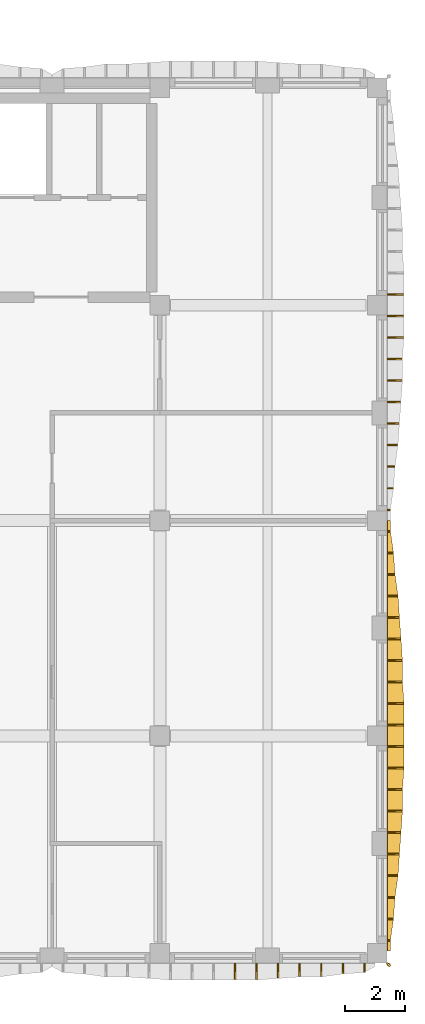
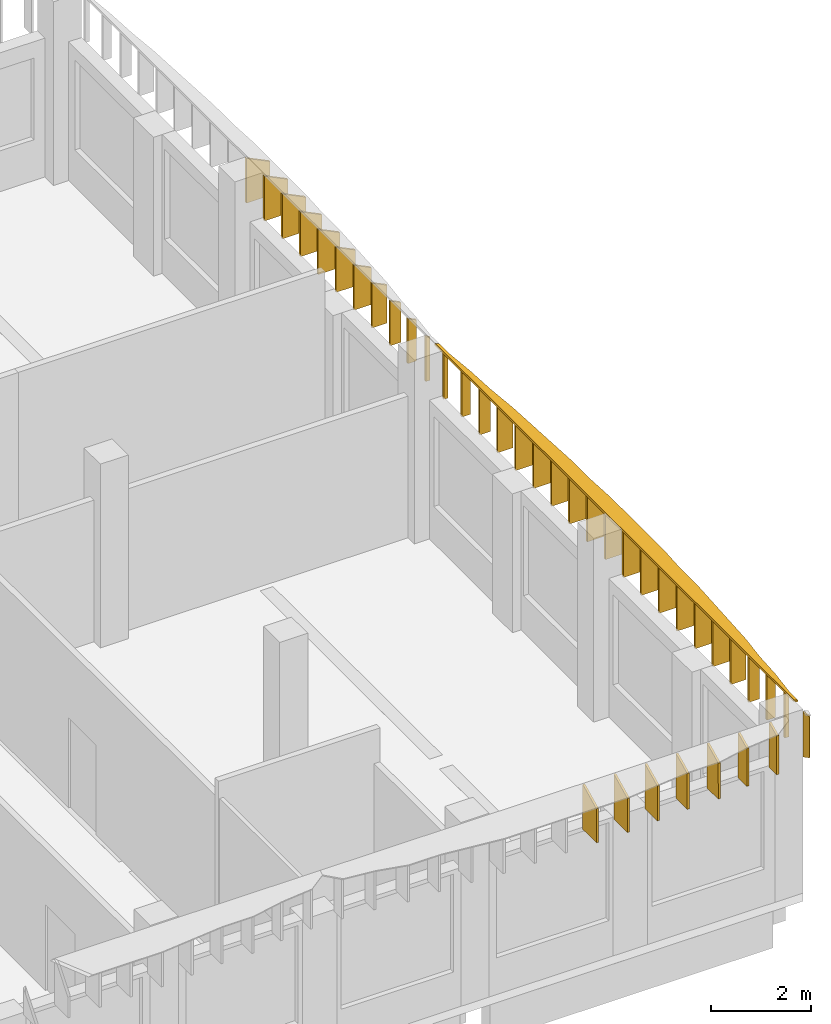
# One storey, part 26 of 30: 40 shading devices.
"""IFC4 building model written with IfcOpenShell, lengths in metres."""

import ifcopenshell
import ifcopenshell.guid

model = None  # the IFC model being written
_history = None  # IfcOwnerHistory: only IFC2X3 demands one
_inside = {}  # id of a spatial element -> (the spatial element, [elements in it])
_under = {}  # id of a project, library or spatial element -> (it, [spatial elements below it])
_declared = {}  # id of a project -> (the project, [libraries it declares])
_typed = {}  # id of a type object -> (the type object, [elements of that type])
_made_of = {}  # id of a material, layer set ... -> (it, [elements and type objects made of it])


def new_model(schema):
    """Start an empty IFC model of exactly this schema.

    Asked for "IFC4X3", IfcOpenShell would pick the latest addendum, in which some entities
    have other attributes; the version numbers below select the first issue.
    IFC2X3 requires an IfcOwnerHistory on every rooted entity: one is made here for all.
    """
    global model, _history
    if schema == "IFC4X3":
        model = ifcopenshell.file(schema_version=(4, 3, 0, 0))
    else:
        model = ifcopenshell.file(schema=schema)
    _inside.clear()
    _under.clear()
    _declared.clear()
    _typed.clear()
    _made_of.clear()
    _history = None
    if model.schema == "IFC2X3":
        org = make("IfcOrganization", Name="unknown")
        user = make(
            "IfcPersonAndOrganization",
            ThePerson=make("IfcPerson", FamilyName="unknown"),
            TheOrganization=org,
        )
        app = make(
            "IfcApplication",
            ApplicationDeveloper=org,
            Version="unknown",
            ApplicationFullName="unknown",
            ApplicationIdentifier="unknown",
        )
        _history = make(
            "IfcOwnerHistory",
            OwningUser=user,
            OwningApplication=app,
            ChangeAction="ADDED",
            CreationDate=0,
        )
    return model


def make(cls, **values):
    """One entity of the class cls with the attributes given. An attribute that is None is left unset."""
    return model.create_entity(
        cls, **{name: value for name, value in values.items() if value is not None}
    )


def rooted(cls, **values):
    """An entity with a GlobalId (a new one), such as an element, a storey or a relation."""
    return make(cls, GlobalId=ifcopenshell.guid.new(), OwnerHistory=_history, **values)


def si_unit(unit_type, name, prefix=None):
    """IfcSIUnit, for example si_unit("LENGTHUNIT", "METRE", prefix="MILLI")."""
    return make("IfcSIUnit", UnitType=unit_type, Prefix=prefix, Name=name)


def assignment(units):
    """IfcUnitAssignment: the units of a project."""
    return None if units is None else make("IfcUnitAssignment", Units=units)


def point(xyz):
    """IfcCartesianPoint."""
    return None if xyz is None else make("IfcCartesianPoint", Coordinates=xyz)


def direction(xyz):
    """IfcDirection."""
    return None if xyz is None else make("IfcDirection", DirectionRatios=xyz)


def frame(location, z_axis=None, x_axis=None):
    """IfcAxis2Placement3D, a coordinate frame: its origin and axes. An axis left out is left unset."""
    return make(
        "IfcAxis2Placement3D",
        Location=point(location),
        Axis=direction(z_axis),
        RefDirection=direction(x_axis),
    )


def origin():
    """The frame at (0, 0, 0) with its axes left unset."""
    return frame((0.0, 0.0, 0.0))


def place(relative_to, where):
    """IfcLocalPlacement: puts the frame where relative to a parent placement (None: the world)."""
    return make(
        "IfcLocalPlacement", PlacementRelTo=relative_to, RelativePlacement=where
    )


def context(
    kind, dimensions, precision=None, world=None, true_north=None, identifier=None
):
    """IfcGeometricRepresentationContext, for example the 3D "Model" context."""
    return make(
        "IfcGeometricRepresentationContext",
        ContextIdentifier=identifier,
        ContextType=kind,
        CoordinateSpaceDimension=dimensions,
        Precision=precision,
        WorldCoordinateSystem=world,
        TrueNorth=true_north,
    )


def subcontext(parent, identifier, kind, view, scale=None):
    """IfcGeometricRepresentationSubContext, for example "Body" below "Model"."""
    return make(
        "IfcGeometricRepresentationSubContext",
        ContextIdentifier=identifier,
        ContextType=kind,
        ParentContext=parent,
        TargetScale=scale,
        TargetView=view,
    )


def project(units=None, contexts=None):
    """IfcProject with its units and contexts."""
    return rooted(
        "IfcProject",
        Name="project",
        RepresentationContexts=contexts,
        UnitsInContext=assignment(units),
    )


def spatial(cls, under=None, at=None, **own):
    """A site, building, storey or space (cls), placed at a placement, below another one or the project."""
    s = rooted(cls, ObjectPlacement=at, **own)
    if under is not None:
        _under.setdefault(under.id(), (under, []))[1].append(s)
    return s


def polyline(points):
    """IfcPolyline through the points."""
    return make("IfcPolyline", Points=[point(p) for p in points])


def outline(outer, holes=None, kind="AREA"):
    """IfcArbitraryClosedProfileDef: a profile drawn as a closed curve; with holes, ...WithVoids."""
    if holes is None:
        return make("IfcArbitraryClosedProfileDef", ProfileType=kind, OuterCurve=outer)
    return make(
        "IfcArbitraryProfileDefWithVoids",
        ProfileType=kind,
        OuterCurve=outer,
        InnerCurves=holes,
    )


def extrude(swept, where, along, depth):
    """IfcExtrudedAreaSolid: the profile swept, set in the frame where, extruded along a direction by depth."""
    return make(
        "IfcExtrudedAreaSolid",
        SweptArea=swept,
        Position=where,
        ExtrudedDirection=direction(along),
        Depth=depth,
    )


def shape(context_of_items, identifier, shape_type, items):
    """IfcShapeRepresentation: the items that make up one representation, for example the "Body"."""
    return make(
        "IfcShapeRepresentation",
        ContextOfItems=context_of_items,
        RepresentationIdentifier=identifier,
        RepresentationType=shape_type,
        Items=items,
    )


def material(Name=None, Category=None):
    """IfcMaterial."""
    return make("IfcMaterial", Name=Name, Category=Category)


def layer(
    of_material, thickness, ventilated=None, Name=None, Category=None, Priority=None
):
    """IfcMaterialLayer: one layer of a wall or slab, of a material (None: an air gap)."""
    return make(
        "IfcMaterialLayer",
        Material=of_material,
        LayerThickness=thickness,
        IsVentilated=ventilated,
        Name=Name,
        Category=Category,
        Priority=Priority,
    )


def layer_set(layers, Name=None):
    """IfcMaterialLayerSet."""
    return make("IfcMaterialLayerSet", MaterialLayers=layers, LayerSetName=Name)


def made_of(thing, what):
    """Note that an element or type object is made of a material, layer set ...; save() writes the relation."""
    if what is not None:
        _made_of.setdefault(what.id(), (what, []))[1].append(thing)
    return thing


def type_object(cls, material=None, **own):
    """A type object (cls), such as IfcWallType, which elements share."""
    return made_of(rooted(cls, **own), material)


def element(
    cls,
    number,
    at=None,
    inside=None,
    cuts=None,
    type_object=None,
    material=None,
    context=None,
    identifier="Body",
    shape_type=None,
    held_by="IfcProductDefinitionShape",
    body=None,
    shapes=None,
    **own,
):
    """One element of the class cls, such as IfcWall. Its Tag is "e" and its number.

    at: its placement. inside: the storey or other place that contains it. cuts: it is an
    opening in that element (IfcRelVoidsElement). A single representation is given by context,
    identifier, shape_type and body (its items); several are given by shapes. held_by: the class
    of the entity that holds the representations. save() writes the other relations.
    """
    e = rooted(cls, Tag="e%d" % number, ObjectPlacement=at, **own)
    if body is not None:
        shapes = [shape(context, identifier, shape_type, body)]
    if shapes is not None:
        e.Representation = make(held_by, Representations=shapes)
    if inside is not None:
        _inside.setdefault(inside.id(), (inside, []))[1].append(e)
    if cuts is not None:
        rooted(
            "IfcRelVoidsElement", RelatingBuildingElement=cuts, RelatedOpeningElement=e
        )
    if type_object is not None:
        _typed.setdefault(type_object.id(), (type_object, []))[1].append(e)
    return made_of(e, material)


def aggregate(whole, parts):
    """IfcRelAggregates: a whole, such as a stair, and the parts it consists of."""
    return rooted("IfcRelAggregates", RelatingObject=whole, RelatedObjects=parts)


def save(model, path):
    """Write the relations noted so far, then the file.

    IfcRelAggregates (storeys below a building ...), IfcRelContainedInSpatialStructure (elements
    in a storey), IfcRelDefinesByType, IfcRelAssociatesMaterial and IfcRelDeclares: one each for
    every whole, place, type object, material and project.
    """
    for whole, parts in _under.values():
        aggregate(whole, parts)
    for where, things in _inside.values():
        rooted(
            "IfcRelContainedInSpatialStructure",
            RelatedElements=things,
            RelatingStructure=where,
        )
    for kind, things in _typed.values():
        rooted("IfcRelDefinesByType", RelatedObjects=things, RelatingType=kind)
    for what, things in _made_of.values():
        rooted("IfcRelAssociatesMaterial", RelatedObjects=things, RelatingMaterial=what)
    for by, libraries in _declared.values():
        rooted("IfcRelDeclares", RelatingContext=by, RelatedDefinitions=libraries)
    model.write(path)


model = new_model("IFC4")

# Units and contexts
model_context = context("Model", 3, precision=1e-05, world=origin(), true_north=direction((0.0, 1.0)))
body_context = subcontext(model_context, "Body", "Model", "MODEL_VIEW")
ifc_project = project(units=[si_unit("LENGTHUNIT", "METRE"), si_unit("AREAUNIT", "SQUARE_METRE"), si_unit("VOLUMEUNIT", "CUBIC_METRE"), si_unit("PLANEANGLEUNIT", "RADIAN"), si_unit("MASSUNIT", "GRAM", prefix="KILO")], contexts=[model_context])

# Site, building, storey
site_placement = place(None, origin())
site = spatial("IfcSite", under=ifc_project, at=site_placement, CompositionType="ELEMENT")
building_placement = place(site_placement, origin())
building = spatial("IfcBuilding", under=site, at=building_placement, Name="Ussher Court Research Institute", CompositionType="ELEMENT")
storey_placement = place(building_placement, frame((0.0, 0.0, 27.89990234375)))
storey = spatial("IfcBuildingStorey", under=building, at=storey_placement, Name="L06", CompositionType="ELEMENT", Elevation=27.89990234375)

# Shading devices
ifc_material_1 = material(Name="Bronze anodised aluminium", Category="aluminium")
ifc_layer_1 = layer(ifc_material_1, 0.050048828125)
ifc_layer_set_1 = layer_set([ifc_layer_1], Name="Bronze anodised aluminium")
shading_device_type_1 = type_object("IfcShadingDeviceType", Name="Brim blade 100 mm deep 1100 mm high canted 26 deg wet", PredefinedType="USERDEFINED", material=ifc_layer_set_1)
for number, where, z_axis, x_axis, name in (
    (1, (104.199951171875, 18.760009765625, 3.35009765625), (0.0, 0.0, 1.0), (1.0, 0.0, 0.0), "Brim blade BS10 L06"),
    (2, (104.199951171875, 18.0400390625, 3.35009765625), (0.0, 0.0, 1.0), (1.0, 0.0, 0.0), "Brim blade BS10 L06"),
    (3, (104.199951171875, 4.360107421875, 3.35009765625), (0.0, 0.0, 1.0), (1.0, 0.0, 0.0), "Brim blade BS10 L06"),
):
    element("IfcShadingDevice", number, at=place(storey_placement, frame(where, z_axis=z_axis, x_axis=x_axis)), inside=storey, type_object=shading_device_type_1, Name=name, ObjectType="BLADE", PredefinedType="USERDEFINED", context=body_context, shape_type="SweptSolid", body=[
        extrude(outline(polyline([(0.0, 0.0), (0.10009765625, 0.0), (0.10009765625, 1.05126953125), (0.0, 1.10009765625), (0.0, 0.0)])), frame((0.0, 0.02490234375, 0.0), z_axis=(0.0, -1.0, 0.0), x_axis=(1.0, 0.0, 0.0)), (0.0, 0.0, 1.0), 0.050048828125),
    ])
ifc_material_2 = material(Name="Bronze anodised aluminium", Category="aluminium")
ifc_layer_2 = layer(ifc_material_2, 0.050048828125)
ifc_layer_set_2 = layer_set([ifc_layer_2], Name="Bronze anodised aluminium")
shading_device_type_2 = type_object("IfcShadingDeviceType", Name="Brim blade 200 mm deep 1100 mm high canted 26 deg wet", PredefinedType="USERDEFINED", material=ifc_layer_set_2)
for number, where, z_axis, x_axis, name in (
    (4, (104.199951171875, 19.47998046875, 3.35009765625), (0.0, 0.0, 1.0), (1.0, 0.0, 0.0), "Brim blade BS08 L06"),
    (5, (104.199951171875, 17.320068359375, 3.35009765625), (0.0, 0.0, 1.0), (1.0, 0.0, 0.0), "Brim blade BS08 L06"),
    (6, (104.199951171875, 5.080078125, 3.35009765625), (0.0, 0.0, 1.0), (1.0, 0.0, 0.0), "Brim blade BS08 L06"),
):
    element("IfcShadingDevice", number, at=place(storey_placement, frame(where, z_axis=z_axis, x_axis=x_axis)), inside=storey, type_object=shading_device_type_2, Name=name, ObjectType="BLADE", PredefinedType="USERDEFINED", context=body_context, shape_type="SweptSolid", body=[
        extrude(outline(polyline([(0.0, 0.0), (0.199951171875, 0.0), (0.199951171875, 1.00244140625), (0.0, 1.10009765625), (0.0, 0.0)])), frame((0.0, 0.02490234375, 0.0), z_axis=(0.0, -1.0, 0.0), x_axis=(1.0, 0.0, 0.0)), (0.0, 0.0, 1.0), 0.050048828125),
    ])
ifc_material_3 = material(Name="Bronze anodised aluminium", Category="aluminium")
ifc_layer_3 = layer(ifc_material_3, 0.050048828125)
ifc_layer_set_3 = layer_set([ifc_layer_3], Name="Bronze anodised aluminium")
shading_device_type_3 = type_object("IfcShadingDeviceType", Name="Brim blade 250 mm deep 1100 mm high canted 26 deg wet", PredefinedType="USERDEFINED", material=ifc_layer_set_3)
for number, where, z_axis, x_axis, name in (
    (7, (104.199951171875, 20.199951171875, 3.35009765625), (0.0, 0.0, 1.0), (1.0, 0.0, 0.0), "Brim blade BS07 L06"),
    (8, (104.199951171875, 16.60009765625, 3.35009765625), (0.0, 0.0, 1.0), (1.0, 0.0, 0.0), "Brim blade BS07 L06"),
    (9, (104.199951171875, 5.800048828125, 3.35009765625), (0.0, 0.0, 1.0), (1.0, 0.0, 0.0), "Brim blade BS07 L06"),
):
    element("IfcShadingDevice", number, at=place(storey_placement, frame(where, z_axis=z_axis, x_axis=x_axis)), inside=storey, type_object=shading_device_type_3, Name=name, ObjectType="BLADE", PredefinedType="USERDEFINED", context=body_context, shape_type="SweptSolid", body=[
        extrude(outline(polyline([(0.0, 0.0), (0.25, 0.0), (0.25, 0.97802734375), (0.0, 1.10009765625), (0.0, 0.0)])), frame((0.0, 0.02490234375, 0.0), z_axis=(0.0, -1.0, 0.0), x_axis=(1.0, 0.0, 0.0)), (0.0, 0.0, 1.0), 0.050048828125),
    ])
ifc_material_4 = material(Name="Bronze anodised aluminium", Category="aluminium")
ifc_layer_4 = layer(ifc_material_4, 0.050048828125)
ifc_layer_set_4 = layer_set([ifc_layer_4], Name="Bronze anodised aluminium")
shading_device_type_4 = type_object("IfcShadingDeviceType", Name="Brim blade 300 mm deep 1100 mm high canted 26 deg wet", PredefinedType="USERDEFINED", material=ifc_layer_set_4)
shading_device_1_placement = place(storey_placement, frame((103.43994140625, 3.60009765625, 3.35009765625), z_axis=(0.0, 0.0, 1.0), x_axis=(0.0, -1.0, 0.0)))
element("IfcShadingDevice", 10, at=shading_device_1_placement, inside=storey, type_object=shading_device_type_4, Name="Brim blade BS06 L06", ObjectType="BLADE", PredefinedType="USERDEFINED", context=body_context, shape_type="SweptSolid", body=[
    extrude(outline(polyline([(0.0, 0.0), (0.300048828125, 0.0), (0.300048828125, 0.95361328125), (0.0, 1.10009765625), (0.0, 0.0)])), frame((0.0, 0.02490234375, 0.0), z_axis=(0.0, -1.0, 0.0), x_axis=(1.0, 0.0, 0.0)), (0.0, 0.0, 1.0), 0.050048828125),
])
ifc_material_5 = material(Name="Bronze anodised aluminium", Category="aluminium")
ifc_layer_5 = layer(ifc_material_5, 0.050048828125)
ifc_layer_set_5 = layer_set([ifc_layer_5], Name="Bronze anodised aluminium")
shading_device_type_5 = type_object("IfcShadingDeviceType", Name="Brim blade 350 mm deep 1100 mm high canted 26 deg wet", PredefinedType="USERDEFINED", material=ifc_layer_set_5)
for number, where, z_axis, x_axis, name in (
    (11, (104.199951171875, 20.919921875, 3.35009765625), (0.0, 0.0, 1.0), (1.0, 0.0, 0.0), "Brim blade BS05 L06"),
    (12, (104.199951171875, 15.8798828125, 3.35009765625), (0.0, 0.0, 1.0), (1.0, 0.0, 0.0), "Brim blade BS05 L06"),
    (13, (104.199951171875, 6.52001953125, 3.35009765625), (0.0, 0.0, 1.0), (1.0, 0.0, 0.0), "Brim blade BS05 L06"),
    (14, (102.719970703125, 3.60009765625, 3.35009765625), (0.0, 0.0, 1.0), (0.0, -1.0, 0.0), "Brim blade BS05 L06"),
):
    element("IfcShadingDevice", number, at=place(storey_placement, frame(where, z_axis=z_axis, x_axis=x_axis)), inside=storey, type_object=shading_device_type_5, Name=name, ObjectType="BLADE", PredefinedType="USERDEFINED", context=body_context, shape_type="SweptSolid", body=[
        extrude(outline(polyline([(0.0, 0.0), (0.35009765625, 0.0), (0.35009765625, 0.92919921875), (0.0, 1.10009765625), (0.0, 0.0)])), frame((0.0, 0.02490234375, 0.0), z_axis=(0.0, -1.0, 0.0), x_axis=(1.0, 0.0, 0.0)), (0.0, 0.0, 1.0), 0.050048828125),
    ])
ifc_material_6 = material(Name="Bronze anodised aluminium", Category="aluminium")
ifc_layer_6 = layer(ifc_material_6, 0.050048828125)
ifc_layer_set_6 = layer_set([ifc_layer_6], Name="Bronze anodised aluminium")
shading_device_type_6 = type_object("IfcShadingDeviceType", Name="Brim blade 400 mm deep 1100 mm high canted 26 deg wet", PredefinedType="USERDEFINED", material=ifc_layer_set_6)
for number, where, z_axis, x_axis, name in (
    (15, (104.199951171875, 21.639892578125, 3.35009765625), (0.0, 0.0, 1.0), (1.0, 0.0, 0.0), "Brim blade BS04 L06"),
    (16, (104.199951171875, 15.159912109375, 3.35009765625), (0.0, 0.0, 1.0), (1.0, 0.0, 0.0), "Brim blade BS04 L06"),
    (17, (104.199951171875, 7.239990234375, 3.35009765625), (0.0, 0.0, 1.0), (1.0, 0.0, 0.0), "Brim blade BS04 L06"),
):
    element("IfcShadingDevice", number, at=place(storey_placement, frame(where, z_axis=z_axis, x_axis=x_axis)), inside=storey, type_object=shading_device_type_6, Name=name, ObjectType="BLADE", PredefinedType="USERDEFINED", context=body_context, shape_type="SweptSolid", body=[
        extrude(outline(polyline([(0.0, 0.0), (0.400146484375, 0.0), (0.39990234375, 0.90478515625), (0.0, 1.10009765625), (0.0, 0.0)])), frame((0.0, 0.02490234375, 0.0), z_axis=(0.0, -1.0, 0.0), x_axis=(1.0, 0.0, 0.0)), (0.0, 0.0, 1.0), 0.050048828125),
    ])
ifc_material_7 = material(Name="Bronze anodised aluminium", Category="aluminium")
ifc_layer_7 = layer(ifc_material_7, 0.050048828125)
ifc_layer_set_7 = layer_set([ifc_layer_7], Name="Bronze anodised aluminium")
shading_device_type_7 = type_object("IfcShadingDeviceType", Name="Brim blade 450 mm deep 1100 mm high canted 26 deg wet", PredefinedType="USERDEFINED", material=ifc_layer_set_7)
for number, where, z_axis, x_axis, name in (
    (18, (104.199951171875, 22.360107421875, 3.35009765625), (0.0, 0.0, 1.0), (1.0, 0.0, 0.0), "Brim blade BS03 L06"),
    (19, (104.199951171875, 14.43994140625, 3.35009765625), (0.0, 0.0, 1.0), (1.0, 0.0, 0.0), "Brim blade BS03 L06"),
    (20, (104.199951171875, 7.9599609375, 3.35009765625), (0.0, 0.0, 1.0), (1.0, 0.0, 0.0), "Brim blade BS03 L06"),
):
    element("IfcShadingDevice", number, at=place(storey_placement, frame(where, z_axis=z_axis, x_axis=x_axis)), inside=storey, type_object=shading_device_type_7, Name=name, ObjectType="BLADE", PredefinedType="USERDEFINED", context=body_context, shape_type="SweptSolid", body=[
        extrude(outline(polyline([(0.0, 0.0), (0.449951171875, 0.0), (0.449951171875, 0.880615234375), (0.0, 1.10009765625), (0.0, 0.0)])), frame((0.0, 0.02490234375, 0.0), z_axis=(0.0, -1.0, 0.0), x_axis=(1.0, 0.0, 0.0)), (0.0, 0.0, 1.0), 0.050048828125),
    ])
for number, where, z_axis, x_axis, name in (
    (21, (102.0, 3.60009765625, 3.35009765625), (0.0, 0.0, 1.0), (0.0, -1.0, 0.0), "Brim blade BS03 L06"),
    (22, (101.280029296875, 3.60009765625, 3.35009765625), (0.0, 0.0, 1.0), (0.0, -1.0, 0.0), "Brim blade BS03 L06"),
):
    element("IfcShadingDevice", number, at=place(storey_placement, frame(where, z_axis=z_axis, x_axis=x_axis)), inside=storey, type_object=shading_device_type_7, Name=name, ObjectType="BLADE", PredefinedType="USERDEFINED", context=body_context, shape_type="SweptSolid", body=[
        extrude(outline(polyline([(0.0, 0.0), (0.4501953125, 0.0), (0.449951171875, 0.880615234375), (0.0, 1.10009765625), (0.0, 0.0)])), frame((0.0, 0.02490234375, 0.0), z_axis=(0.0, -1.0, 0.0), x_axis=(1.0, 0.0, 0.0)), (0.0, 0.0, 1.0), 0.050048828125),
    ])
ifc_material_8 = material(Name="Bronze anodised aluminium", Category="aluminium")
ifc_layer_8 = layer(ifc_material_8, 0.050048828125)
ifc_layer_set_8 = layer_set([ifc_layer_8], Name="Bronze anodised aluminium")
shading_device_type_8 = type_object("IfcShadingDeviceType", Name="Brim blade 500 mm deep 1100 mm high canted 26 deg wet", PredefinedType="USERDEFINED", material=ifc_layer_set_8)
for number, where, z_axis, x_axis, name in (
    (23, (104.199951171875, 23.800048828125, 3.35009765625), (0.0, 0.0, 1.0), (1.0, 0.0, 0.0), "Brim blade BS02 L06"),
    (24, (104.199951171875, 23.080078125, 3.35009765625), (0.0, 0.0, 1.0), (1.0, 0.0, 0.0), "Brim blade BS02 L06"),
    (25, (104.199951171875, 13.719970703125, 3.35009765625), (0.0, 0.0, 1.0), (1.0, 0.0, 0.0), "Brim blade BS02 L06"),
    (26, (104.199951171875, 13.0, 3.35009765625), (0.0, 0.0, 1.0), (1.0, 0.0, 0.0), "Brim blade BS02 L06"),
    (27, (104.199951171875, 9.39990234375, 3.35009765625), (0.0, 0.0, 1.0), (1.0, 0.0, 0.0), "Brim blade BS02 L06"),
    (28, (104.199951171875, 8.679931640625, 3.35009765625), (0.0, 0.0, 1.0), (1.0, 0.0, 0.0), "Brim blade BS02 L06"),
    (29, (100.56005859375, 3.60009765625, 3.35009765625), (0.0, 0.0, 1.0), (0.0, -1.0, 0.0), "Brim blade BS02 L06"),
):
    element("IfcShadingDevice", number, at=place(storey_placement, frame(where, z_axis=z_axis, x_axis=x_axis)), inside=storey, type_object=shading_device_type_8, Name=name, ObjectType="BLADE", PredefinedType="USERDEFINED", context=body_context, shape_type="SweptSolid", body=[
        extrude(outline(polyline([(0.0, 0.0), (0.5, 0.0), (0.5, 0.856201171875), (0.0, 1.10009765625), (0.0, 0.0)])), frame((0.0, 0.02490234375, 0.0), z_axis=(0.0, -1.0, 0.0), x_axis=(1.0, 0.0, 0.0)), (0.0, 0.0, 1.0), 0.050048828125),
    ])
ifc_material_9 = material(Name="Bronze anodised aluminium", Category="aluminium")
ifc_layer_9 = layer(ifc_material_9, 0.050048828125)
ifc_layer_set_9 = layer_set([ifc_layer_9], Name="Bronze anodised aluminium")
shading_device_type_9 = type_object("IfcShadingDeviceType", Name="Brim blade 550 mm deep 1100 mm high canted 26 deg wet", PredefinedType="USERDEFINED", material=ifc_layer_set_9)
for number, where, z_axis, x_axis, name in (
    (30, (104.199951171875, 25.9599609375, 3.35009765625), (0.0, 0.0, 1.0), (1.0, 0.0, 0.0), "Brim blade BS01 L06"),
    (31, (104.199951171875, 25.239990234375, 3.35009765625), (0.0, 0.0, 1.0), (1.0, 0.0, 0.0), "Brim blade BS01 L06"),
    (32, (104.199951171875, 24.52001953125, 3.35009765625), (0.0, 0.0, 1.0), (1.0, 0.0, 0.0), "Brim blade BS01 L06"),
    (33, (104.199951171875, 12.280029296875, 3.35009765625), (0.0, 0.0, 1.0), (1.0, 0.0, 0.0), "Brim blade BS01 L06"),
    (34, (104.199951171875, 11.56005859375, 3.35009765625), (0.0, 0.0, 1.0), (1.0, 0.0, 0.0), "Brim blade BS01 L06"),
    (35, (104.199951171875, 10.840087890625, 3.35009765625), (0.0, 0.0, 1.0), (1.0, 0.0, 0.0), "Brim blade BS01 L06"),
    (36, (104.199951171875, 10.1201171875, 3.35009765625), (0.0, 0.0, 1.0), (1.0, 0.0, 0.0), "Brim blade BS01 L06"),
    (37, (99.840087890625, 3.60009765625, 3.35009765625), (0.0, 0.0, 1.0), (0.0, -1.0, 0.0), "Brim blade BS01 L06"),
    (38, (99.1201171875, 3.60009765625, 3.35009765625), (0.0, 0.0, 1.0), (0.0, -1.0, 0.0), "Brim blade BS01 L06"),
):
    element("IfcShadingDevice", number, at=place(storey_placement, frame(where, z_axis=z_axis, x_axis=x_axis)), inside=storey, type_object=shading_device_type_9, Name=name, ObjectType="BLADE", PredefinedType="USERDEFINED", context=body_context, shape_type="SweptSolid", body=[
        extrude(outline(polyline([(0.0, 0.0), (0.550048828125, 0.0), (0.550048828125, 0.831787109375), (0.0, 1.10009765625), (0.0, 0.0)])), frame((0.0, 0.02490234375, 0.0), z_axis=(0.0, -1.0, 0.0), x_axis=(1.0, 0.0, 0.0)), (0.0, 0.0, 1.0), 0.050048828125),
    ])
ifc_material_10 = material(Name="Bronze anodised aluminium", Category="aluminium")
ifc_layer_10 = layer(ifc_material_10, 0.050048828125)
ifc_layer_set_10 = layer_set([ifc_layer_10], Name="Bronze anodised aluminium")
shading_device_type_10 = type_object("IfcShadingDeviceType", Name="Brim mitre blade 100 mm deep 1100 mm high canted 26 deg wet", PredefinedType="USERDEFINED", material=ifc_layer_set_10)
shading_device_2_placement = place(storey_placement, frame((104.199951171875, 3.60009765625, 3.35009765625), z_axis=(0.0, 0.0, 1.0), x_axis=(0.707106781187, -0.707106781187, 0.0)))
element("IfcShadingDevice", 39, at=shading_device_2_placement, inside=storey, type_object=shading_device_type_10, Name="Brim mitre blade BS18 L06", ObjectType="BLADE", PredefinedType="USERDEFINED", context=body_context, shape_type="SweptSolid", body=[
    extrude(outline(polyline([(0.0, 0.0), (0.1416015625, 0.0), (0.141357421875, 1.00244140625), (0.0, 1.10009765625), (0.0, 0.0)])), frame((0.0, 0.02490234375, 0.0), z_axis=(0.0, -1.0, 0.0), x_axis=(1.0, 0.0, 0.0)), (0.0, 0.0, 1.0), 0.050048828125),
])
ifc_material_11 = material(Name="Bronze anodised aluminium", Category="aluminium")
ifc_layer_11 = layer(ifc_material_11, 0.0400390625)
ifc_layer_set_11 = layer_set([ifc_layer_11], Name="Bronze anodised aluminium")
shading_device_type_11 = type_object("IfcShadingDeviceType", Name="Brim visor sheet 40 mm canted 26 deg wet", PredefinedType="USERDEFINED", material=ifc_layer_set_11)
shading_device_3_placement = place(storey_placement, frame((104.217529296875, 18.39990234375, 4.486083984375), z_axis=(0.438529187419, 0.0, 0.898716947532), x_axis=(0.0, -1.0, 0.0)))
element("IfcShadingDevice", 40, at=shading_device_3_placement, inside=storey, type_object=shading_device_type_11, Name="Brim visor sheet BR1 L06", ObjectType="BRIM", PredefinedType="USERDEFINED", context=body_context, shape_type="SweptSolid", body=[
    extrude(outline(polyline([(0.0, 0.0), (14.39990234375, 0.0), (14.39990234375, 0.11115260474230423), (14.039794921875, 0.11115260474230423), (13.31982421875, 0.22252462280187707), (12.599853515625, 0.2782106318316635), (11.8798828125, 0.38936323657396776), (11.159912109375, 0.4449421828138569), (10.43994140625, 0.5006281918436433), (9.719970703125, 0.5563142008734296), (9.0, 0.5563142008734296), (8.27978515625, 0.6120002099032161), (7.559814453125, 0.6120002099032161), (6.83984375, 0.6120002099032161), (6.119873046875, 0.6120002099032161), (5.39990234375, 0.5563142008734296), (4.679931640625, 0.5563142008734296), (3.9599609375, 0.5006281918436433), (3.239990234375, 0.4449421828138569), (2.52001953125, 0.38936323657396776), (1.7998046875, 0.2782106318316635), (1.079833984375, 0.22252462280187707), (0.35986328125, 0.11115260474230423), (0.0, 0.11115260474230423), (0.0, 0.0)])), origin(), (0.0, 0.0, -1.0), 0.0400390625),
])

save(model, "model.ifc")
